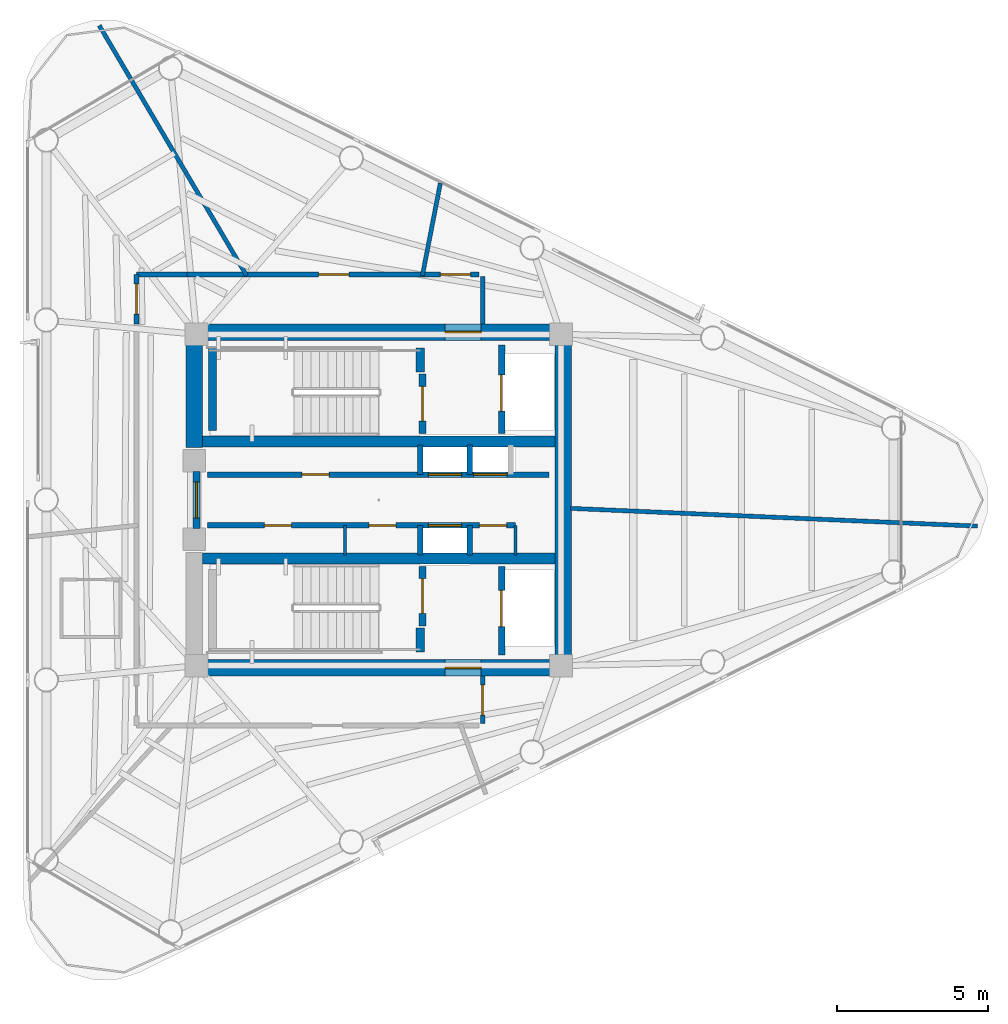
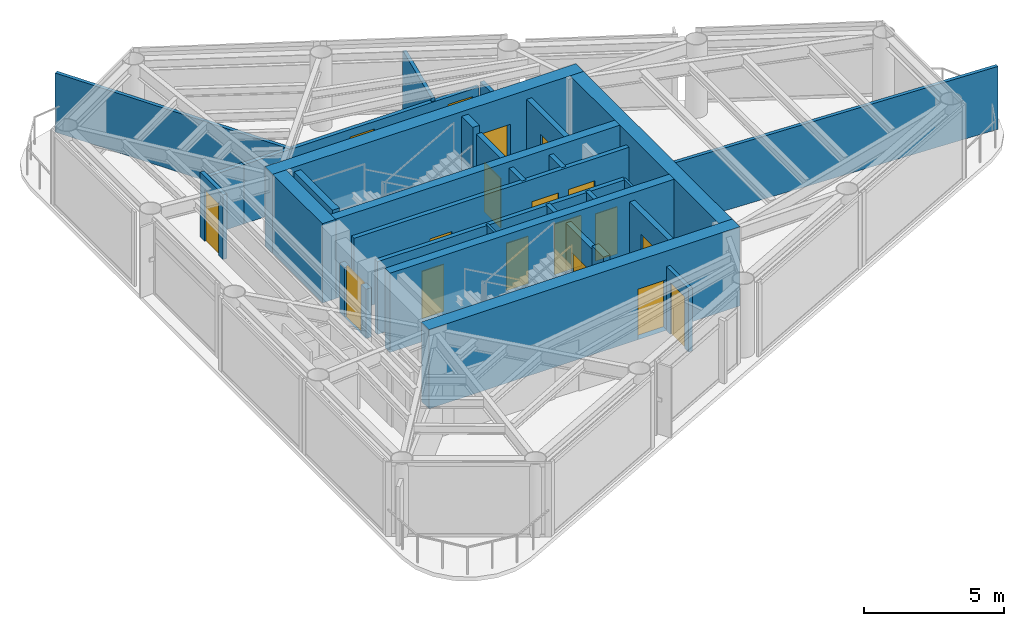
# One storey, part 5 of 10: 30 walls, 18 doors, 18 openings.
"""IFC4 building model written with IfcOpenShell, lengths in metres."""

from ifc_helpers import new_model, si_unit, direction, frame, frame_2d, origin, place, context, subcontext, project, spatial, rectangle, extrude, material, layer, layer_set, type_object, element, fill, save


model = new_model("IFC4")

# Units and contexts
model_context = context("Model", 3, precision=1e-05, world=origin(), true_north=direction((0.0, 1.0)))
body_context = subcontext(model_context, "Body", "Model", "MODEL_VIEW")
ifc_project = project(units=[si_unit("LENGTHUNIT", "METRE"), si_unit("AREAUNIT", "SQUARE_METRE"), si_unit("VOLUMEUNIT", "CUBIC_METRE"), si_unit("PLANEANGLEUNIT", "RADIAN"), si_unit("MASSUNIT", "GRAM", prefix="KILO")], contexts=[model_context])

# Site, building, storey
site_placement = place(None, origin())
site = spatial("IfcSite", under=ifc_project, at=site_placement, CompositionType="ELEMENT")
building_placement = place(site_placement, origin())
building = spatial("IfcBuilding", under=site, at=building_placement, Name="Yunling Apex Tower", CompositionType="ELEMENT")
storey_placement = place(building_placement, frame((0.0, 0.0, 314.0)))
storey = spatial("IfcBuildingStorey", under=building, at=storey_placement, Name="L77", CompositionType="ELEMENT", Elevation=314.0)

# Wall, opening, door
ifc_material_1 = material(Name="Concrete C40", Category="concrete")
ifc_layer_1 = layer(ifc_material_1, 0.550048828125)
ifc_layer_set_1 = layer_set([ifc_layer_1], Name="Concrete C40")
wall_type_1 = type_object("IfcWallType", Name="WL-COR-3", PredefinedType="SHEAR", material=ifc_layer_set_1)
wall_1_placement = place(storey_placement, frame((-6.39990234375, 5.574951171875, 0.0), z_axis=(0.0, 0.0, 1.0), x_axis=(1.0, 0.0, 0.0)))
wall_1 = element("IfcWall", 1, at=wall_1_placement, inside=storey, type_object=wall_type_1, Name="L77 North Core Shear Wall", PredefinedType="SHEAR", context=body_context, shape_type="SweptSolid", body=[
    extrude(rectangle(XDim=12.7998046875, YDim=0.550048828125, at=frame_2d((6.39990234375, 0.0))), origin(), (0.0, 0.0, 1.0), 3.449951171875),
])
opening_1_placement = place(wall_1_placement, frame((8.60009765625, 0.0, 0.0)))
opening_1 = element("IfcOpeningElement", 2, at=opening_1_placement, cuts=wall_1, Name="Opening DR-FFL-1", PredefinedType="OPENING", context=body_context, shape_type="SweptSolid", body=[
    extrude(rectangle(XDim=1.199951171875, YDim=2.199951171875, at=frame_2d((0.60009765625, 1.10009765625))), frame((0.0, 0.28515625, 0.0), z_axis=(0.0, -1.0, 0.0), x_axis=(1.0, 0.0, 0.0)), (0.0, 0.0, 1.0), 0.570068359375),
])
ifc_material_2 = material(Name="Steel Q355B", Category="steel")
door_type_1 = type_object("IfcDoorType", Name="DR-FFL-1", OperationType="NOTDEFINED", PredefinedType="DOOR", material=ifc_material_2)
door_1_placement = place(opening_1_placement, origin())
door_1 = element("IfcDoor", 3, at=door_1_placement, inside=storey, type_object=door_type_1, Name="L77 North Firefighting Lobby Door", OperationType="SINGLE_SWING_LEFT", OverallHeight=2.199951171875, OverallWidth=1.199951171875, PredefinedType="DOOR", context=body_context, shape_type="SweptSolid", body=[
    extrude(rectangle(XDim=1.199951171875, YDim=2.199951171875, at=frame_2d((0.60009765625, 1.10009765625))), frame((0.0, 0.02490234375, 0.0), z_axis=(0.0, -1.0, 0.0), x_axis=(1.0, 0.0, 0.0)), (0.0, 0.0, 1.0), 0.050048828125),
])
fill(opening_1, door_1)

wall_2_placement = place(storey_placement, frame((-6.39990234375, -5.574951171875, 0.0), z_axis=(0.0, 0.0, 1.0), x_axis=(1.0, 0.0, 0.0)))
wall_2 = element("IfcWall", 4, at=wall_2_placement, inside=storey, type_object=wall_type_1, Name="L77 South Core Shear Wall", PredefinedType="SHEAR", context=body_context, shape_type="SweptSolid", body=[
    extrude(rectangle(XDim=12.7998046875, YDim=0.550048828125, at=frame_2d((6.39990234375, 0.0))), origin(), (0.0, 0.0, 1.0), 3.449951171875),
])
opening_2_placement = place(wall_2_placement, frame((8.60009765625, 0.0, 0.0)))
opening_2 = element("IfcOpeningElement", 5, at=opening_2_placement, cuts=wall_2, Name="Opening DR-FFL-1", PredefinedType="OPENING", context=body_context, shape_type="SweptSolid", body=[
    extrude(rectangle(XDim=1.199951171875, YDim=2.199951171875, at=frame_2d((0.60009765625, 1.10009765625))), frame((0.0, 0.28515625, 0.0), z_axis=(0.0, -1.0, 0.0), x_axis=(1.0, 0.0, 0.0)), (0.0, 0.0, 1.0), 0.570068359375),
])
door_2_placement = place(opening_2_placement, origin())
door_2 = element("IfcDoor", 6, at=door_2_placement, inside=storey, type_object=door_type_1, Name="L77 South Firefighting Lobby Door", OperationType="SINGLE_SWING_RIGHT", OverallHeight=2.199951171875, OverallWidth=1.199951171875, PredefinedType="DOOR", context=body_context, shape_type="SweptSolid", body=[
    extrude(rectangle(XDim=1.199951171875, YDim=2.199951171875, at=frame_2d((0.60009765625, 1.10009765625))), frame((0.0, 0.02490234375, 0.0), z_axis=(0.0, -1.0, 0.0), x_axis=(1.0, 0.0, 0.0)), (0.0, 0.0, 1.0), 0.050048828125),
])
fill(opening_2, door_2)

# Walls
wall_3_placement = place(storey_placement, frame((6.125, -5.300048828125, 0.0), z_axis=(0.0, 0.0, 1.0), x_axis=(0.0, 1.0, 0.0)))
element("IfcWall", 7, at=wall_3_placement, inside=storey, type_object=wall_type_1, Name="L77 East Core Shear Wall", PredefinedType="SHEAR", context=body_context, shape_type="SweptSolid", body=[
    extrude(rectangle(XDim=10.60009765625, YDim=0.550048828125, at=frame_2d((5.300048828125, 0.0))), origin(), (0.0, 0.0, 1.0), 3.449951171875),
])
wall_4_placement = place(storey_placement, frame((-6.125, 1.75, 0.0), z_axis=(0.0, 0.0, 1.0), x_axis=(0.0, 1.0, 0.0)))
element("IfcWall", 8, at=wall_4_placement, inside=storey, type_object=wall_type_1, Name="L77 West-North Core Shear Wall", PredefinedType="SHEAR", context=body_context, shape_type="SweptSolid", body=[
    extrude(rectangle(XDim=3.550048828125, YDim=0.550048828125, at=frame_2d((1.77490234375, 0.0))), origin(), (0.0, 0.0, 1.0), 3.449951171875),
])
ifc_layer_2 = layer(ifc_material_1, 0.360107421875)
ifc_layer_set_2 = layer_set([ifc_layer_2], Name="Concrete C40")
wall_type_2 = type_object("IfcWallType", Name="WL-COR-4", PredefinedType="SHEAR", material=ifc_layer_set_2)
for number, where, z_axis, x_axis, name in (
    (9, (-5.85009765625, 1.93994140625, 0.0), (0.0, 0.0, 1.0), (1.0, 0.0, 0.0), "L77 North Internal Core Shear Wall"),
    (10, (-5.85009765625, -1.93994140625, 0.0), (0.0, 0.0, 1.0), (1.0, 0.0, 0.0), "L77 South Internal Core Shear Wall"),
):
    element("IfcWall", number, at=place(storey_placement, frame(where, z_axis=z_axis, x_axis=x_axis)), inside=storey, type_object=wall_type_2, Name=name, PredefinedType="SHEAR", context=body_context, shape_type="SweptSolid", body=[
        extrude(rectangle(XDim=11.7001953125, YDim=0.360107421875, at=frame_2d((5.85009765625, 0.0))), origin(), (0.0, 0.0, 1.0), 3.449951171875),
    ])
ifc_layer_3 = layer(ifc_material_1, 0.280029296875)
ifc_layer_set_3 = layer_set([ifc_layer_3], Name="Concrete C40")
wall_type_3 = type_object("IfcWallType", Name="WL-COR-8", PredefinedType="SHEAR", material=ifc_layer_set_3)
wall_5_placement = place(storey_placement, frame((-5.52001953125, 2.300048828125, 0.0), z_axis=(0.0, 0.0, 1.0), x_axis=(0.0, 1.0, 0.0)))
element("IfcWall", 11, at=wall_5_placement, inside=storey, type_object=wall_type_3, Name="L77 ST-1 West Landing Bearing Wall", PredefinedType="SHEAR", context=body_context, shape_type="SweptSolid", body=[
    extrude(rectangle(XDim=2.75, YDim=0.280029296875, at=frame_2d((1.375, 0.0))), origin(), (0.0, 0.0, 1.0), 3.449951171875),
])
for number, where, z_axis, x_axis, name in (
    (12, (1.3798828125, 4.25, 0.0), (0.0, 0.0, 1.0), (0.0, 1.0, 0.0), "L77 ST-1 East Landing Bearing Pier"),
    (13, (1.3798828125, -5.050048828125, 0.0), (0.0, 0.0, 1.0), (0.0, 1.0, 0.0), "L77 ST-2 East Landing Bearing Pier"),
):
    element("IfcWall", number, at=place(storey_placement, frame(where, z_axis=z_axis, x_axis=x_axis)), inside=storey, type_object=wall_type_3, Name=name, PredefinedType="SHEAR", context=body_context, shape_type="SweptSolid", body=[
        extrude(rectangle(XDim=0.800048828125, YDim=0.280029296875, at=frame_2d((0.39990234375, 0.0))), origin(), (0.0, 0.0, 1.0), 3.449951171875),
    ])

# Wall, opening, door
ifc_material_3 = material(Name="Gypsum board acoustic partition")
ifc_layer_4 = layer(ifc_material_3, 0.159912109375)
ifc_layer_set_4 = layer_set([ifc_layer_4], Name="Gypsum board acoustic partition")
wall_type_4 = type_object("IfcWallType", Name="WL-PRT-1", PredefinedType="PARTITIONING", material=ifc_layer_set_4)
wall_6_placement = place(storey_placement, frame((-8.0400390625, 5.85009765625, 0.0), z_axis=(0.0, 0.0, 1.0), x_axis=(0.0, 1.0, 0.0)))
wall_6 = element("IfcWall", 14, at=wall_6_placement, inside=storey, type_object=wall_type_4, Name="WL-CORR-L77-01", PredefinedType="PARTITIONING", context=body_context, shape_type="SweptSolid", body=[
    extrude(rectangle(XDim=1.639892578125, YDim=0.159912109375, at=frame_2d((0.81982421875, 0.0))), origin(), (0.0, 0.0, 1.0), 2.824951171875),
])
opening_3_placement = place(wall_6_placement, frame((0.320068359375, 0.0, 0.0)))
opening_3 = element("IfcOpeningElement", 15, at=opening_3_placement, cuts=wall_6, Name="Opening DR-OFF-1", PredefinedType="OPENING", context=body_context, shape_type="SweptSolid", body=[
    extrude(rectangle(XDim=1.0, YDim=2.25, at=frame_2d((0.5, 1.125))), frame((0.0, 0.08984375, 0.0), z_axis=(0.0, -1.0, 0.0), x_axis=(1.0, 0.0, 0.0)), (0.0, 0.0, 1.0), 0.179931640625),
])
ifc_material_4 = material(Name="Bronze anodised aluminium", Category="aluminium")
door_type_2 = type_object("IfcDoorType", Name="DR-OFF-1", OperationType="NOTDEFINED", PredefinedType="DOOR", material=ifc_material_4)
door_3_placement = place(opening_3_placement, origin())
door_3 = element("IfcDoor", 16, at=door_3_placement, inside=storey, type_object=door_type_2, Name="L77 Concierge Reception Foyer Door", OperationType="SINGLE_SWING_LEFT", OverallHeight=2.25, OverallWidth=1.0, PredefinedType="DOOR", context=body_context, shape_type="SweptSolid", body=[
    extrude(rectangle(XDim=1.0, YDim=2.25, at=frame_2d((0.5, 1.125))), frame((0.0, 0.02490234375, 0.0), z_axis=(0.0, -1.0, 0.0), x_axis=(1.0, 0.0, 0.0)), (0.0, 0.0, 1.0), 0.050048828125),
])
fill(opening_3, door_3)

# Wall
wall_7_placement = place(storey_placement, frame((-8.0400390625, 7.489990234375, 0.0), z_axis=(0.0, 0.0, 1.0), x_axis=(1.0, 0.0, 0.0)))
element("IfcWall", 17, at=wall_7_placement, inside=storey, type_object=wall_type_4, Name="WL-CORR-L77-02", PredefinedType="PARTITIONING", context=body_context, shape_type="SweptSolid", body=[
    extrude(rectangle(XDim=1.679931640625, YDim=0.159912109375, at=frame_2d((0.83984375, 0.0))), origin(), (0.0, 0.0, 1.0), 2.574951171875),
])

# Wall, openings, doors
wall_8_placement = place(storey_placement, frame((-6.360107421875, 7.489990234375, 0.0), z_axis=(0.0, 0.0, 1.0), x_axis=(1.0, 0.0, 0.0)))
wall_8 = element("IfcWall", 18, at=wall_8_placement, inside=storey, type_object=wall_type_4, Name="WL-CORR-L77-03", PredefinedType="PARTITIONING", context=body_context, shape_type="SweptSolid", body=[
    extrude(rectangle(XDim=9.67919921875, YDim=0.159912109375, at=frame_2d((4.839599609375, 0.0))), origin(), (0.0, 0.0, 1.0), 2.574951171875),
])
opening_4_placement = place(wall_8_placement, frame((4.3671875, 0.0, 0.0)))
opening_4 = element("IfcOpeningElement", 19, at=opening_4_placement, cuts=wall_8, Name="Opening DR-OFF-1", PredefinedType="OPENING", context=body_context, shape_type="SweptSolid", body=[
    extrude(rectangle(XDim=1.0, YDim=2.25, at=frame_2d((0.5, 1.125))), frame((0.0, 0.08984375, 0.0), z_axis=(0.0, -1.0, 0.0), x_axis=(1.0, 0.0, 0.0)), (0.0, 0.0, 1.0), 0.179931640625),
])
opening_5_placement = place(wall_8_placement, frame((8.406005859375, 0.0, 0.0)))
opening_5 = element("IfcOpeningElement", 20, at=opening_5_placement, cuts=wall_8, Name="Opening DR-OFF-1", PredefinedType="OPENING", context=body_context, shape_type="SweptSolid", body=[
    extrude(rectangle(XDim=1.0, YDim=2.25, at=frame_2d((0.5, 1.125))), frame((0.0, 0.08984375, 0.0), z_axis=(0.0, -1.0, 0.0), x_axis=(1.0, 0.0, 0.0)), (0.0, 0.0, 1.0), 0.179931640625),
])
door_4_placement = place(opening_4_placement, origin())
door_4 = element("IfcDoor", 21, at=door_4_placement, inside=storey, type_object=door_type_2, Name="L77 Wellness Yoga Club Door", OperationType="SINGLE_SWING_RIGHT", OverallHeight=2.25, OverallWidth=1.0, PredefinedType="DOOR", context=body_context, shape_type="SweptSolid", body=[
    extrude(rectangle(XDim=1.0, YDim=2.25, at=frame_2d((0.5, 1.125))), frame((0.0, 0.02490234375, 0.0), z_axis=(0.0, -1.0, 0.0), x_axis=(1.0, 0.0, 0.0)), (0.0, 0.0, 1.0), 0.050048828125),
])
fill(opening_4, door_4)
door_5_placement = place(opening_5_placement, origin())
door_5 = element("IfcDoor", 22, at=door_5_placement, inside=storey, type_object=door_type_2, Name="L77 Concierge Reception Foyer Door", OperationType="SINGLE_SWING_LEFT", OverallHeight=2.25, OverallWidth=1.0, PredefinedType="DOOR", context=body_context, shape_type="SweptSolid", body=[
    extrude(rectangle(XDim=1.0, YDim=2.25, at=frame_2d((0.5, 1.125))), frame((0.0, 0.02490234375, 0.0), z_axis=(0.0, -1.0, 0.0), x_axis=(1.0, 0.0, 0.0)), (0.0, 0.0, 1.0), 0.050048828125),
])
fill(opening_5, door_5)

# Wall
wall_9_placement = place(storey_placement, frame((3.449951171875, 7.4248046875, 0.0), z_axis=(0.0, 0.0, 1.0), x_axis=(0.0, -1.0, 0.0)))
element("IfcWall", 23, at=wall_9_placement, inside=storey, type_object=wall_type_4, Name="WL-CORR-L77-04", PredefinedType="PARTITIONING", context=body_context, shape_type="SweptSolid", body=[
    extrude(rectangle(XDim=1.57470703125, YDim=0.159912109375, at=frame_2d((0.787353515625, 0.0))), origin(), (0.0, 0.0, 1.0), 2.77490234375),
])

# Wall, opening, door
wall_10_placement = place(storey_placement, frame((3.449951171875, -5.85009765625, 0.0), z_axis=(0.0, 0.0, 1.0), x_axis=(0.0, -1.0, 0.0)))
wall_10 = element("IfcWall", 24, at=wall_10_placement, inside=storey, type_object=wall_type_4, Name="WL-CORR-L77-05", PredefinedType="PARTITIONING", context=body_context, shape_type="SweptSolid", body=[
    extrude(rectangle(XDim=1.57470703125, YDim=0.159912109375, at=frame_2d((0.787353515625, 0.0))), origin(), (0.0, 0.0, 1.0), 2.77490234375),
])
opening_6_placement = place(wall_10_placement, frame((0.287353515625, 0.0, 0.0)))
opening_6 = element("IfcOpeningElement", 25, at=opening_6_placement, cuts=wall_10, Name="Opening DR-OFF-1", PredefinedType="OPENING", context=body_context, shape_type="SweptSolid", body=[
    extrude(rectangle(XDim=1.0, YDim=2.25, at=frame_2d((0.5, 1.125))), frame((0.0, 0.08984375, 0.0), z_axis=(0.0, -1.0, 0.0), x_axis=(1.0, 0.0, 0.0)), (0.0, 0.0, 1.0), 0.179931640625),
])
door_6_placement = place(opening_6_placement, origin())
door_6 = element("IfcDoor", 26, at=door_6_placement, inside=storey, type_object=door_type_2, Name="L77 Wellness Yoga Club Door", OperationType="SINGLE_SWING_RIGHT", OverallHeight=2.25, OverallWidth=1.0, PredefinedType="DOOR", context=body_context, shape_type="SweptSolid", body=[
    extrude(rectangle(XDim=1.0, YDim=2.25, at=frame_2d((0.5, 1.125))), frame((0.0, 0.02490234375, 0.0), z_axis=(0.0, -1.0, 0.0), x_axis=(1.0, 0.0, 0.0)), (0.0, 0.0, 1.0), 0.050048828125),
])
fill(opening_6, door_6)

# Walls
ifc_layer_5 = layer(ifc_material_3, 0.139892578125)
ifc_layer_set_5 = layer_set([ifc_layer_5], Name="Gypsum board acoustic partition")
wall_type_5 = type_object("IfcWallType", Name="WL-PRT-2", PredefinedType="PARTITIONING", material=ifc_layer_set_5)
wall_11_placement = place(storey_placement, frame((6.360107421875, -0.277587890625, 0.0), z_axis=(0.0, 0.0, 1.0), x_axis=(0.999047623791, -0.043633076864, 0.0)))
element("IfcWall", 27, at=wall_11_placement, inside=storey, type_object=wall_type_5, Name="WL-RAD-L77-01", PredefinedType="PARTITIONING", context=body_context, shape_type="SweptSolid", body=[
    extrude(rectangle(XDim=13.52392578125, YDim=0.139892578125, at=frame_2d((6.761962890625, 0.0))), origin(), (0.0, 0.0, 1.0), 2.735107421875),
])
wall_12_placement = place(storey_placement, frame((1.447998046875, 7.449951171875, 0.0), z_axis=(0.0, 0.0, 1.0), x_axis=(0.190865473384, 0.981616203549, 0.0)))
element("IfcWall", 28, at=wall_12_placement, inside=storey, type_object=wall_type_5, Name="WL-RAD-L77-02", PredefinedType="PARTITIONING", context=body_context, shape_type="SweptSolid", body=[
    extrude(rectangle(XDim=3.122314453125, YDim=0.139892578125, at=frame_2d((1.56103515625, 0.0))), origin(), (0.0, 0.0, 1.0), 2.735107421875),
])
wall_13_placement = place(storey_placement, frame((-4.388427734375, 7.449951171875, 0.0), z_axis=(0.0, 0.0, 1.0), x_axis=(-0.507535081803, 0.861631093183, 0.0)))
element("IfcWall", 29, at=wall_13_placement, inside=storey, type_object=wall_type_5, Name="WL-RAD-L77-03", PredefinedType="PARTITIONING", context=body_context, shape_type="SweptSolid", body=[
    extrude(rectangle(XDim=9.632568359375, YDim=0.139892578125, at=frame_2d((4.81640625, 0.0))), origin(), (0.0, 0.0, 1.0), 2.574951171875),
])
ifc_layer_6 = layer(ifc_material_3, 0.10009765625)
ifc_layer_set_6 = layer_set([ifc_layer_6], Name="Gypsum board acoustic partition")
wall_type_6 = type_object("IfcWallType", Name="WL-PRT-4", PredefinedType="PARTITIONING", material=ifc_layer_set_6)
for number, where, z_axis, x_axis, name in (
    (30, (-1.1201171875, -1.820068359375, 0.0), (0.0, 0.0, 1.0), (0.0, 1.0, 0.0), "WL-RECLMA-S-L77"),
    (31, (4.5400390625, -1.820068359375, 0.0), (0.0, 0.0, 1.0), (0.0, 1.0, 0.0), "WL-KASE-E-L77"),
):
    element("IfcWall", number, at=place(storey_placement, frame(where, z_axis=z_axis, x_axis=x_axis)), inside=storey, type_object=wall_type_6, Name=name, PredefinedType="PARTITIONING", context=body_context, shape_type="SweptSolid", body=[
        extrude(rectangle(XDim=0.97998046875, YDim=0.10009765625, at=frame_2d((0.489990234375, 0.0))), origin(), (0.0, 0.0, 1.0), 3.169921875),
    ])

# Wall, opening, door
ifc_material_5 = material(Name="Autoclaved aerated concrete masonry", Category="masonry")
ifc_layer_7 = layer(ifc_material_5, 0.219970703125)
ifc_layer_set_7 = layer_set([ifc_layer_7], Name="Autoclaved aerated concrete masonry")
wall_type_7 = type_object("IfcWallType", Name="WL-SHF-1", PredefinedType="PLUMBINGWALL", material=ifc_layer_set_7)
wall_14_placement = place(storey_placement, frame((-6.050048828125, -0.949951171875, 0.0), z_axis=(0.0, 0.0, 1.0), x_axis=(0.0, 1.0, 0.0)))
wall_14 = element("IfcWall", 32, at=wall_14_placement, inside=storey, type_object=wall_type_7, Name="WL-COR-WPORT-L77", PredefinedType="PLUMBINGWALL", context=body_context, shape_type="SweptSolid", body=[
    extrude(rectangle(XDim=1.89990234375, YDim=0.219970703125, at=frame_2d((0.949951171875, 0.0))), origin(), (0.0, 0.0, 1.0), 2.14990234375),
])
opening_7_placement = place(wall_14_placement, frame((0.35009765625, 0.0, 0.0)))
opening_7 = element("IfcOpeningElement", 33, at=opening_7_placement, cuts=wall_14, Name="Opening DR-FFL-1", PredefinedType="OPENING", context=body_context, shape_type="SweptSolid", body=[
    extrude(rectangle(XDim=1.199951171875, YDim=2.199951171875, at=frame_2d((0.60009765625, 1.10009765625))), frame((0.0, 0.1201171875, 0.0), z_axis=(0.0, -1.0, 0.0), x_axis=(1.0, 0.0, 0.0)), (0.0, 0.0, 1.0), 0.239990234375),
])
door_7_placement = place(opening_7_placement, origin())
door_7 = element("IfcDoor", 34, at=door_7_placement, inside=storey, type_object=door_type_1, Name="L77 Passenger Lift Lobby Entrance Door", OperationType="SINGLE_SWING_LEFT", OverallHeight=2.199951171875, OverallWidth=1.199951171875, PredefinedType="DOOR", context=body_context, shape_type="SweptSolid", body=[
    extrude(rectangle(XDim=1.199951171875, YDim=2.199951171875, at=frame_2d((0.60009765625, 1.10009765625))), frame((0.0, 0.02490234375, 0.0), z_axis=(0.0, -1.0, 0.0), x_axis=(1.0, 0.0, 0.0)), (0.0, 0.0, 1.0), 0.050048828125),
])
fill(opening_7, door_7)

wall_15_placement = place(storey_placement, frame((1.449951171875, 2.199951171875, 0.0), z_axis=(0.0, 0.0, 1.0), x_axis=(0.0, 1.0, 0.0)))
wall_15 = element("IfcWall", 35, at=wall_15_placement, inside=storey, type_object=wall_type_7, Name="WL-ST1-E-L77", PredefinedType="PLUMBINGWALL", context=body_context, shape_type="SweptSolid", body=[
    extrude(rectangle(XDim=1.97998046875, YDim=0.219970703125, at=frame_2d((0.989990234375, 0.0))), origin(), (0.0, 0.0, 1.0), 3.169921875),
])
opening_8_placement = place(wall_15_placement, frame((0.419921875, 0.0, 0.0)))
opening_8 = element("IfcOpeningElement", 36, at=opening_8_placement, cuts=wall_15, Name="Opening DR-ST-1", PredefinedType="OPENING", context=body_context, shape_type="SweptSolid", body=[
    extrude(rectangle(XDim=1.14990234375, YDim=2.14990234375, at=frame_2d((0.574951171875, 1.074951171875))), frame((0.0, 0.1201171875, 0.0), z_axis=(0.0, -1.0, 0.0), x_axis=(1.0, 0.0, 0.0)), (0.0, 0.0, 1.0), 0.239990234375),
])
door_type_3 = type_object("IfcDoorType", Name="DR-ST-1", OperationType="NOTDEFINED", PredefinedType="DOOR", material=ifc_material_2)
door_8_placement = place(opening_8_placement, origin())
door_8 = element("IfcDoor", 37, at=door_8_placement, inside=storey, type_object=door_type_3, Name="L77 Stair ST-1 Fire Door", OperationType="SINGLE_SWING_RIGHT", OverallHeight=2.14990234375, OverallWidth=1.14990234375, PredefinedType="DOOR", context=body_context, shape_type="SweptSolid", body=[
    extrude(rectangle(XDim=1.14990234375, YDim=2.14990234375, at=frame_2d((0.574951171875, 1.074951171875))), frame((0.0, 0.02490234375, 0.0), z_axis=(0.0, -1.0, 0.0), x_axis=(1.0, 0.0, 0.0)), (0.0, 0.0, 1.0), 0.050048828125),
])
fill(opening_8, door_8)

wall_16_placement = place(storey_placement, frame((4.080078125, 2.199951171875, 0.0), z_axis=(0.0, 0.0, 1.0), x_axis=(0.0, 1.0, 0.0)))
wall_16 = element("IfcWall", 38, at=wall_16_placement, inside=storey, type_object=wall_type_7, Name="WL-FFL1-W-L77", PredefinedType="PLUMBINGWALL", context=body_context, shape_type="SweptSolid", body=[
    extrude(rectangle(XDim=2.949951171875, YDim=0.219970703125, at=frame_2d((1.47509765625, 0.0))), origin(), (0.0, 0.0, 1.0), 3.169921875),
])
opening_9_placement = place(wall_16_placement, frame((0.75, 0.0, 0.0)))
opening_9 = element("IfcOpeningElement", 39, at=opening_9_placement, cuts=wall_16, Name="Opening LD-FFL-1", PredefinedType="OPENING", context=body_context, shape_type="SweptSolid", body=[
    extrude(rectangle(XDim=1.199951171875, YDim=2.25, at=frame_2d((0.60009765625, 1.125))), frame((0.0, 0.1201171875, 0.0), z_axis=(0.0, -1.0, 0.0), x_axis=(1.0, 0.0, 0.0)), (0.0, 0.0, 1.0), 0.239990234375),
])
door_type_4 = type_object("IfcDoorType", Name="LD-FFL-1", OperationType="DOUBLE_DOOR_SLIDING", PredefinedType="DOOR", material=ifc_material_2)
door_9_placement = place(opening_9_placement, origin())
door_9 = element("IfcDoor", 40, at=door_9_placement, inside=storey, type_object=door_type_4, Name="L77 Lift FFL-1 Landing Door", OperationType="DOUBLE_DOOR_SLIDING", OverallHeight=2.25, OverallWidth=1.199951171875, PredefinedType="DOOR", context=body_context, shape_type="SweptSolid", body=[
    extrude(rectangle(XDim=1.199951171875, YDim=2.25, at=frame_2d((0.60009765625, 1.125))), frame((0.0, 0.02490234375, 0.0), z_axis=(0.0, -1.0, 0.0), x_axis=(1.0, 0.0, 0.0)), (0.0, 0.0, 1.0), 0.050048828125),
])
fill(opening_9, door_9)

wall_17_placement = place(storey_placement, frame((1.449951171875, -4.179931640625, 0.0), z_axis=(0.0, 0.0, 1.0), x_axis=(0.0, 1.0, 0.0)))
wall_17 = element("IfcWall", 41, at=wall_17_placement, inside=storey, type_object=wall_type_7, Name="WL-ST2-E-L77", PredefinedType="PLUMBINGWALL", context=body_context, shape_type="SweptSolid", body=[
    extrude(rectangle(XDim=1.97998046875, YDim=0.219970703125, at=frame_2d((0.989990234375, 0.0))), origin(), (0.0, 0.0, 1.0), 3.169921875),
])
opening_10_placement = place(wall_17_placement, frame((0.419921875, 0.0, 0.0)))
opening_10 = element("IfcOpeningElement", 42, at=opening_10_placement, cuts=wall_17, Name="Opening DR-ST-1", PredefinedType="OPENING", context=body_context, shape_type="SweptSolid", body=[
    extrude(rectangle(XDim=1.14990234375, YDim=2.14990234375, at=frame_2d((0.574951171875, 1.074951171875))), frame((0.0, 0.1201171875, 0.0), z_axis=(0.0, -1.0, 0.0), x_axis=(1.0, 0.0, 0.0)), (0.0, 0.0, 1.0), 0.239990234375),
])
door_10_placement = place(opening_10_placement, origin())
door_10 = element("IfcDoor", 43, at=door_10_placement, inside=storey, type_object=door_type_3, Name="L77 Stair ST-2 Fire Door", OperationType="SINGLE_SWING_LEFT", OverallHeight=2.14990234375, OverallWidth=1.14990234375, PredefinedType="DOOR", context=body_context, shape_type="SweptSolid", body=[
    extrude(rectangle(XDim=1.14990234375, YDim=2.14990234375, at=frame_2d((0.574951171875, 1.074951171875))), frame((0.0, 0.02490234375, 0.0), z_axis=(0.0, -1.0, 0.0), x_axis=(1.0, 0.0, 0.0)), (0.0, 0.0, 1.0), 0.050048828125),
])
fill(opening_10, door_10)

wall_18_placement = place(storey_placement, frame((4.080078125, -5.14990234375, 0.0), z_axis=(0.0, 0.0, 1.0), x_axis=(0.0, 1.0, 0.0)))
wall_18 = element("IfcWall", 44, at=wall_18_placement, inside=storey, type_object=wall_type_7, Name="WL-FFL2-W-L77", PredefinedType="PLUMBINGWALL", context=body_context, shape_type="SweptSolid", body=[
    extrude(rectangle(XDim=2.949951171875, YDim=0.219970703125, at=frame_2d((1.47509765625, 0.0))), origin(), (0.0, 0.0, 1.0), 3.169921875),
])
opening_11_placement = place(wall_18_placement, frame((0.949951171875, 0.0, 0.0)))
opening_11 = element("IfcOpeningElement", 45, at=opening_11_placement, cuts=wall_18, Name="Opening LD-FFL-1", PredefinedType="OPENING", context=body_context, shape_type="SweptSolid", body=[
    extrude(rectangle(XDim=1.199951171875, YDim=2.25, at=frame_2d((0.60009765625, 1.125))), frame((0.0, 0.1201171875, 0.0), z_axis=(0.0, -1.0, 0.0), x_axis=(1.0, 0.0, 0.0)), (0.0, 0.0, 1.0), 0.239990234375),
])
door_11_placement = place(opening_11_placement, origin())
door_11 = element("IfcDoor", 46, at=door_11_placement, inside=storey, type_object=door_type_4, Name="L77 Lift FFL-2 Landing Door", OperationType="DOUBLE_DOOR_SLIDING", OverallHeight=2.25, OverallWidth=1.199951171875, PredefinedType="DOOR", context=body_context, shape_type="SweptSolid", body=[
    extrude(rectangle(XDim=1.199951171875, YDim=2.25, at=frame_2d((0.60009765625, 1.125))), frame((0.0, 0.02490234375, 0.0), z_axis=(0.0, -1.0, 0.0), x_axis=(1.0, 0.0, 0.0)), (0.0, 0.0, 1.0), 0.050048828125),
])
fill(opening_11, door_11)

# Walls
ifc_layer_8 = layer(ifc_material_5, 0.179931640625)
ifc_layer_set_8 = layer_set([ifc_layer_8], Name="Autoclaved aerated concrete masonry")
wall_type_8 = type_object("IfcWallType", Name="WL-SHF-2", PredefinedType="PLUMBINGWALL", material=ifc_layer_set_8)
for number, where, z_axis, x_axis, name in (
    (47, (1.3798828125, 0.840087890625, 0.0), (0.0, 0.0, 1.0), (0.0, 1.0, 0.0), "WL-BNK-MH-N-L77"),
    (48, (1.3798828125, -1.820068359375, 0.0), (0.0, 0.0, 1.0), (0.0, 1.0, 0.0), "WL-BNK-MH-S-L77"),
    (49, (3.02001953125, 0.840087890625, 0.0), (0.0, 0.0, 1.0), (0.0, 1.0, 0.0), "WL-DIV-H13-L77"),
    (50, (3.02001953125, -1.820068359375, 0.0), (0.0, 0.0, 1.0), (0.0, 1.0, 0.0), "WL-END-H2E-L77"),
):
    element("IfcWall", number, at=place(storey_placement, frame(where, z_axis=z_axis, x_axis=x_axis)), inside=storey, type_object=wall_type_8, Name=name, PredefinedType="PLUMBINGWALL", context=body_context, shape_type="SweptSolid", body=[
        extrude(rectangle(XDim=0.97998046875, YDim=0.179931640625, at=frame_2d((0.489990234375, 0.0))), origin(), (0.0, 0.0, 1.0), 3.169921875),
    ])

# Wall, openings, doors
wall_19_placement = place(storey_placement, frame((-5.679931640625, 0.840087890625, 0.0), z_axis=(0.0, 0.0, 1.0), x_axis=(1.0, 0.0, 0.0)))
wall_19 = element("IfcWall", 51, at=wall_19_placement, inside=storey, type_object=wall_type_8, Name="WL-LOB-N-L77", PredefinedType="PLUMBINGWALL", context=body_context, shape_type="SweptSolid", body=[
    extrude(rectangle(XDim=11.329833984375, YDim=0.179931640625, at=frame_2d((5.6650390625, 0.0))), origin(), (0.0, 0.0, 1.0), 3.169921875),
])
opening_12_placement = place(wall_19_placement, frame((3.1298828125, 0.0, 0.0)))
opening_12 = element("IfcOpeningElement", 52, at=opening_12_placement, cuts=wall_19, Name="Opening DR-SHF-1", PredefinedType="OPENING", context=body_context, shape_type="SweptSolid", body=[
    extrude(rectangle(XDim=0.89990234375, YDim=2.050048828125, at=frame_2d((0.449951171875, 1.02490234375))), frame((0.0, 0.10009765625, 0.0), z_axis=(0.0, -1.0, 0.0), x_axis=(1.0, 0.0, 0.0)), (0.0, 0.0, 1.0), 0.199951171875),
])
opening_13_placement = place(wall_19_placement, frame((7.330078125, 0.0, 0.0)))
opening_13 = element("IfcOpeningElement", 53, at=opening_13_placement, cuts=wall_19, Name="Opening LD-PAS-1", PredefinedType="OPENING", context=body_context, shape_type="SweptSolid", body=[
    extrude(rectangle(XDim=1.10009765625, YDim=2.199951171875, at=frame_2d((0.550048828125, 1.10009765625))), frame((0.0, 0.10009765625, 0.0), z_axis=(0.0, -1.0, 0.0), x_axis=(1.0, 0.0, 0.0)), (0.0, 0.0, 1.0), 0.199951171875),
])
opening_14_placement = place(wall_19_placement, frame((8.830078125, 0.0, 0.0)))
opening_14 = element("IfcOpeningElement", 54, at=opening_14_placement, cuts=wall_19, Name="Opening LD-PAS-1", PredefinedType="OPENING", context=body_context, shape_type="SweptSolid", body=[
    extrude(rectangle(XDim=1.10009765625, YDim=2.199951171875, at=frame_2d((0.550048828125, 1.10009765625))), frame((0.0, 0.10009765625, 0.0), z_axis=(0.0, -1.0, 0.0), x_axis=(1.0, 0.0, 0.0)), (0.0, 0.0, 1.0), 0.199951171875),
])
door_type_5 = type_object("IfcDoorType", Name="DR-SHF-1", OperationType="NOTDEFINED", PredefinedType="DOOR", material=ifc_material_2)
door_12_placement = place(opening_12_placement, origin())
door_12 = element("IfcDoor", 55, at=door_12_placement, inside=storey, type_object=door_type_5, Name="L77 Archive Store Door", OperationType="SINGLE_SWING_RIGHT", OverallHeight=2.050048828125, OverallWidth=0.89990234375, PredefinedType="DOOR", context=body_context, shape_type="SweptSolid", body=[
    extrude(rectangle(XDim=0.89990234375, YDim=2.050048828125, at=frame_2d((0.449951171875, 1.02490234375))), frame((0.0, 0.02490234375, 0.0), z_axis=(0.0, -1.0, 0.0), x_axis=(1.0, 0.0, 0.0)), (0.0, 0.0, 1.0), 0.050048828125),
])
fill(opening_12, door_12)
ifc_material_6 = material(Name="Silver anodised aluminium", Category="aluminium")
door_type_6 = type_object("IfcDoorType", Name="LD-PAS-1", OperationType="DOUBLE_DOOR_SLIDING", PredefinedType="DOOR", material=ifc_material_6)
door_13_placement = place(opening_13_placement, origin())
door_13 = element("IfcDoor", 56, at=door_13_placement, inside=storey, type_object=door_type_6, Name="L77 Lift PL-H1 Landing Door", OperationType="DOUBLE_DOOR_SLIDING", OverallHeight=2.199951171875, OverallWidth=1.10009765625, PredefinedType="DOOR", context=body_context, shape_type="SweptSolid", body=[
    extrude(rectangle(XDim=1.10009765625, YDim=2.199951171875, at=frame_2d((0.550048828125, 1.10009765625))), frame((0.0, 0.02490234375, 0.0), z_axis=(0.0, -1.0, 0.0), x_axis=(1.0, 0.0, 0.0)), (0.0, 0.0, 1.0), 0.050048828125),
])
fill(opening_13, door_13)
door_14_placement = place(opening_14_placement, origin())
door_14 = element("IfcDoor", 57, at=door_14_placement, inside=storey, type_object=door_type_6, Name="L77 Lift PL-H3 Landing Door", OperationType="DOUBLE_DOOR_SLIDING", OverallHeight=2.199951171875, OverallWidth=1.10009765625, PredefinedType="DOOR", context=body_context, shape_type="SweptSolid", body=[
    extrude(rectangle(XDim=1.10009765625, YDim=2.199951171875, at=frame_2d((0.550048828125, 1.10009765625))), frame((0.0, 0.02490234375, 0.0), z_axis=(0.0, -1.0, 0.0), x_axis=(1.0, 0.0, 0.0)), (0.0, 0.0, 1.0), 0.050048828125),
])
fill(opening_14, door_14)

wall_20_placement = place(storey_placement, frame((-5.679931640625, -0.840087890625, 0.0), z_axis=(0.0, 0.0, 1.0), x_axis=(1.0, 0.0, 0.0)))
wall_20 = element("IfcWall", 58, at=wall_20_placement, inside=storey, type_object=wall_type_8, Name="WL-LOB-S-L77", PredefinedType="PLUMBINGWALL", context=body_context, shape_type="SweptSolid", body=[
    extrude(rectangle(XDim=10.219970703125, YDim=0.179931640625, at=frame_2d((5.10986328125, 0.0))), origin(), (0.0, 0.0, 1.0), 3.169921875),
])
opening_15_placement = place(wall_20_placement, frame((1.8798828125, 0.0, 0.0)))
opening_15 = element("IfcOpeningElement", 59, at=opening_15_placement, cuts=wall_20, Name="Opening DR-SHF-1", PredefinedType="OPENING", context=body_context, shape_type="SweptSolid", body=[
    extrude(rectangle(XDim=0.89990234375, YDim=2.050048828125, at=frame_2d((0.449951171875, 1.02490234375))), frame((0.0, 0.10009765625, 0.0), z_axis=(0.0, -1.0, 0.0), x_axis=(1.0, 0.0, 0.0)), (0.0, 0.0, 1.0), 0.199951171875),
])
opening_16_placement = place(wall_20_placement, frame((5.35009765625, 0.0, 0.0)))
opening_16 = element("IfcOpeningElement", 60, at=opening_16_placement, cuts=wall_20, Name="Opening DR-SHF-1", PredefinedType="OPENING", context=body_context, shape_type="SweptSolid", body=[
    extrude(rectangle(XDim=0.89990234375, YDim=2.050048828125, at=frame_2d((0.449951171875, 1.02490234375))), frame((0.0, 0.10009765625, 0.0), z_axis=(0.0, -1.0, 0.0), x_axis=(1.0, 0.0, 0.0)), (0.0, 0.0, 1.0), 0.199951171875),
])
opening_17_placement = place(wall_20_placement, frame((7.330078125, 0.0, 0.0)))
opening_17 = element("IfcOpeningElement", 61, at=opening_17_placement, cuts=wall_20, Name="Opening LD-PAS-1", PredefinedType="OPENING", context=body_context, shape_type="SweptSolid", body=[
    extrude(rectangle(XDim=1.10009765625, YDim=2.199951171875, at=frame_2d((0.550048828125, 1.10009765625))), frame((0.0, 0.10009765625, 0.0), z_axis=(0.0, -1.0, 0.0), x_axis=(1.0, 0.0, 0.0)), (0.0, 0.0, 1.0), 0.199951171875),
])
opening_18_placement = place(wall_20_placement, frame((9.02001953125, 0.0, 0.0)))
opening_18 = element("IfcOpeningElement", 62, at=opening_18_placement, cuts=wall_20, Name="Opening DR-SHF-1", PredefinedType="OPENING", context=body_context, shape_type="SweptSolid", body=[
    extrude(rectangle(XDim=0.89990234375, YDim=2.050048828125, at=frame_2d((0.449951171875, 1.02490234375))), frame((0.0, 0.10009765625, 0.0), z_axis=(0.0, -1.0, 0.0), x_axis=(1.0, 0.0, 0.0)), (0.0, 0.0, 1.0), 0.199951171875),
])
door_15_placement = place(opening_15_placement, origin())
door_15 = element("IfcDoor", 63, at=door_15_placement, inside=storey, type_object=door_type_5, Name="L77 MEP Plant Door", OperationType="SINGLE_SWING_LEFT", OverallHeight=2.050048828125, OverallWidth=0.89990234375, PredefinedType="DOOR", context=body_context, shape_type="SweptSolid", body=[
    extrude(rectangle(XDim=0.89990234375, YDim=2.050048828125, at=frame_2d((0.449951171875, 1.02490234375))), frame((0.0, 0.02490234375, 0.0), z_axis=(0.0, -1.0, 0.0), x_axis=(1.0, 0.0, 0.0)), (0.0, 0.0, 1.0), 0.050048828125),
])
fill(opening_15, door_15)
door_16_placement = place(opening_16_placement, origin())
door_16 = element("IfcDoor", 64, at=door_16_placement, inside=storey, type_object=door_type_5, Name="L77 Cleaners Store Door", OperationType="SINGLE_SWING_RIGHT", OverallHeight=2.050048828125, OverallWidth=0.89990234375, PredefinedType="DOOR", context=body_context, shape_type="SweptSolid", body=[
    extrude(rectangle(XDim=0.89990234375, YDim=2.050048828125, at=frame_2d((0.449951171875, 1.02490234375))), frame((0.0, 0.02490234375, 0.0), z_axis=(0.0, -1.0, 0.0), x_axis=(1.0, 0.0, 0.0)), (0.0, 0.0, 1.0), 0.050048828125),
])
fill(opening_16, door_16)
door_17_placement = place(opening_18_placement, origin())
door_17 = element("IfcDoor", 65, at=door_17_placement, inside=storey, type_object=door_type_5, Name="L77 Core Electrical Room Door", OperationType="SINGLE_SWING_LEFT", OverallHeight=2.050048828125, OverallWidth=0.89990234375, PredefinedType="DOOR", context=body_context, shape_type="SweptSolid", body=[
    extrude(rectangle(XDim=0.89990234375, YDim=2.050048828125, at=frame_2d((0.449951171875, 1.02490234375))), frame((0.0, 0.02490234375, 0.0), z_axis=(0.0, -1.0, 0.0), x_axis=(1.0, 0.0, 0.0)), (0.0, 0.0, 1.0), 0.050048828125),
])
fill(opening_18, door_17)
door_18_placement = place(opening_17_placement, origin())
door_18 = element("IfcDoor", 66, at=door_18_placement, inside=storey, type_object=door_type_6, Name="L77 Lift PL-H2 Landing Door", OperationType="DOUBLE_DOOR_SLIDING", OverallHeight=2.199951171875, OverallWidth=1.10009765625, PredefinedType="DOOR", context=body_context, shape_type="SweptSolid", body=[
    extrude(rectangle(XDim=1.10009765625, YDim=2.199951171875, at=frame_2d((0.550048828125, 1.10009765625))), frame((0.0, 0.02490234375, 0.0), z_axis=(0.0, -1.0, 0.0), x_axis=(1.0, 0.0, 0.0)), (0.0, 0.0, 1.0), 0.050048828125),
])
fill(opening_17, door_18)

save(model, "model.ifc")
